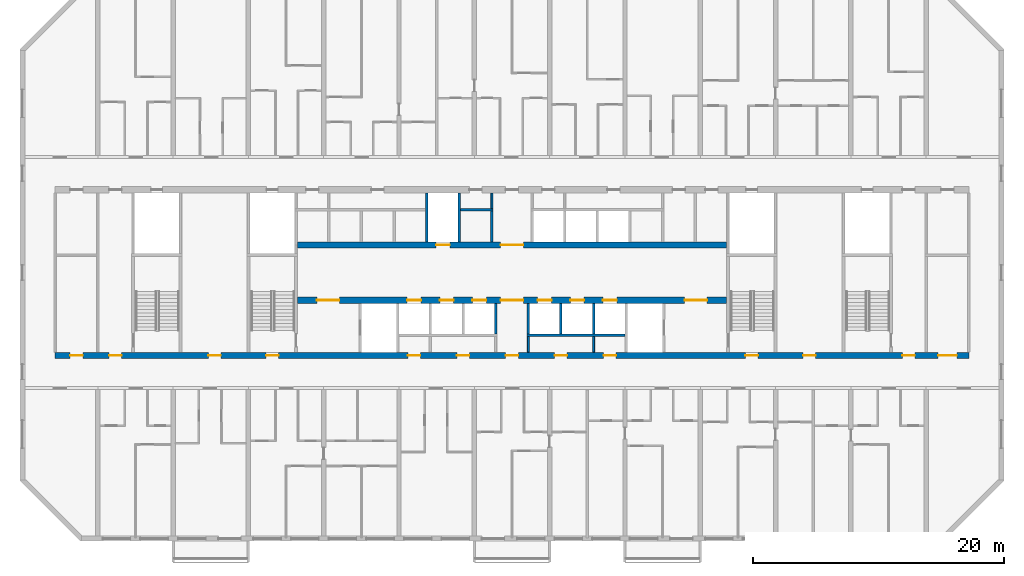
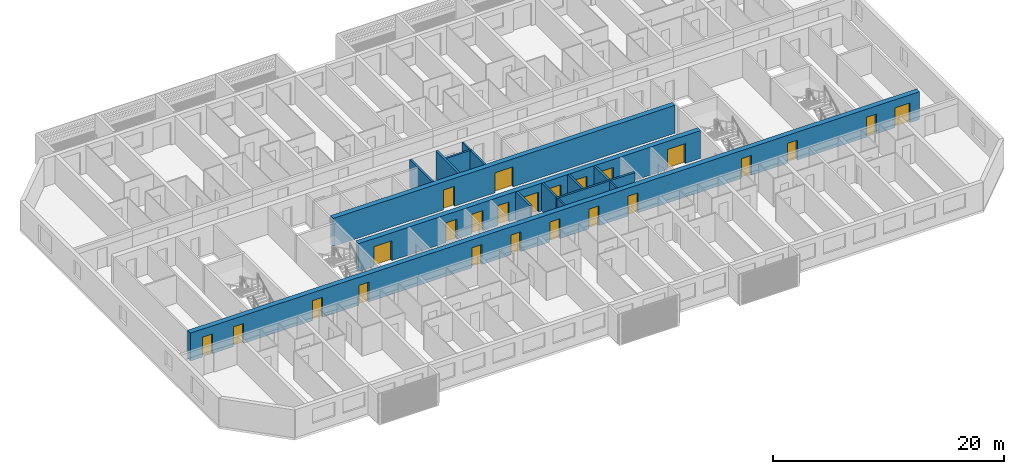
# One storey, part 7 of 24: 24 doors, 15 walls, 24 openings.
"""IFC4 building model written with IfcOpenShell, lengths in metres."""

from ifc_helpers import new_model, si_unit, direction, frame, frame_2d, origin, place, context, subcontext, project, spatial, rectangle, extrude, material, layer, layer_set, type_object, element, fill, save


model = new_model("IFC4")

# Units and contexts
model_context = context("Model", 3, precision=1e-05, world=origin(), true_north=direction((0.0, 1.0)))
body_context = subcontext(model_context, "Body", "Model", "MODEL_VIEW")
ifc_project = project(units=[si_unit("LENGTHUNIT", "METRE"), si_unit("AREAUNIT", "SQUARE_METRE"), si_unit("VOLUMEUNIT", "CUBIC_METRE"), si_unit("PLANEANGLEUNIT", "RADIAN"), si_unit("MASSUNIT", "GRAM", prefix="KILO")], contexts=[model_context])

# Site, building, storey
site_placement = place(None, origin())
site = spatial("IfcSite", under=ifc_project, at=site_placement, CompositionType="ELEMENT")
building_placement = place(site_placement, origin())
building = spatial("IfcBuilding", under=site, at=building_placement, Name="Poui Terraces", CompositionType="ELEMENT")
storey_placement = place(building_placement, frame((0.0, 0.0, 112.5)))
storey = spatial("IfcBuildingStorey", under=building, at=storey_placement, Name="L31", CompositionType="ELEMENT", Elevation=112.5)

# Wall, openings, doors
ifc_material_1 = material(Name="Concrete 65 MPa", Category="concrete")
ifc_layer_1 = layer(ifc_material_1, 0.5)
ifc_layer_set_1 = layer_set([ifc_layer_1], Name="Concrete 65 MPa")
wall_type_1 = type_object("IfcWallType", Name="CORE WALL 500 65 MPA", PredefinedType="SOLIDWALL", material=ifc_layer_set_1)
wall_1_placement = place(storey_placement, frame((33.925048828125, 19.0, 0.0), z_axis=(0.0, 0.0, 1.0), x_axis=(1.0, 0.0, 0.0)))
wall_1 = element("IfcWall", 1, at=wall_1_placement, inside=storey, type_object=wall_type_1, Name="CORE WALL", PredefinedType="SOLIDWALL", context=body_context, shape_type="SweptSolid", body=[
    extrude(rectangle(XDim=34.14990234375, YDim=0.5, at=frame_2d((17.074951171875, 0.0))), origin(), (0.0, 0.0, 1.0), 2.949951171875),
])
opening_1_placement = place(wall_1_placement, frame((16.175048828125, 0.0, 0.0)))
opening_1 = element("IfcOpeningElement", 2, at=opening_1_placement, cuts=wall_1, Name="Opening FDD60", PredefinedType="OPENING", context=body_context, shape_type="SweptSolid", body=[
    extrude(rectangle(XDim=1.800048828125, YDim=2.10009765625, at=frame_2d((0.89990234375, 1.050048828125))), frame((0.0, 0.260009765625, 0.0), z_axis=(0.0, -1.0, 0.0), x_axis=(1.0, 0.0, 0.0)), (0.0, 0.0, 1.0), 0.52001953125),
])
opening_2_placement = place(wall_1_placement, frame((1.52490234375, 0.0, 0.0)))
opening_2 = element("IfcOpeningElement", 3, at=opening_2_placement, cuts=wall_1, Name="Opening FDD60", PredefinedType="OPENING", context=body_context, shape_type="SweptSolid", body=[
    extrude(rectangle(XDim=1.800048828125, YDim=2.10009765625, at=frame_2d((0.89990234375, 1.050048828125))), frame((0.0, 0.260009765625, 0.0), z_axis=(0.0, -1.0, 0.0), x_axis=(1.0, 0.0, 0.0)), (0.0, 0.0, 1.0), 0.52001953125),
])
opening_3_placement = place(wall_1_placement, frame((8.72509765625, 0.0, 0.0)))
opening_3 = element("IfcOpeningElement", 4, at=opening_3_placement, cuts=wall_1, Name="Opening LD", PredefinedType="OPENING", context=body_context, shape_type="SweptSolid", body=[
    extrude(rectangle(XDim=1.10009765625, YDim=2.10009765625, at=frame_2d((0.550048828125, 1.050048828125))), frame((0.0, 0.260009765625, 0.0), z_axis=(0.0, -1.0, 0.0), x_axis=(1.0, 0.0, 0.0)), (0.0, 0.0, 1.0), 0.52001953125),
])
opening_4_placement = place(wall_1_placement, frame((11.324951171875, 0.0, 0.0)))
opening_4 = element("IfcOpeningElement", 5, at=opening_4_placement, cuts=wall_1, Name="Opening LD", PredefinedType="OPENING", context=body_context, shape_type="SweptSolid", body=[
    extrude(rectangle(XDim=1.10009765625, YDim=2.10009765625, at=frame_2d((0.550048828125, 1.050048828125))), frame((0.0, 0.260009765625, 0.0), z_axis=(0.0, -1.0, 0.0), x_axis=(1.0, 0.0, 0.0)), (0.0, 0.0, 1.0), 0.52001953125),
])
opening_5_placement = place(wall_1_placement, frame((13.925048828125, 0.0, 0.0)))
opening_5 = element("IfcOpeningElement", 6, at=opening_5_placement, cuts=wall_1, Name="Opening LD", PredefinedType="OPENING", context=body_context, shape_type="SweptSolid", body=[
    extrude(rectangle(XDim=1.10009765625, YDim=2.10009765625, at=frame_2d((0.550048828125, 1.050048828125))), frame((0.0, 0.260009765625, 0.0), z_axis=(0.0, -1.0, 0.0), x_axis=(1.0, 0.0, 0.0)), (0.0, 0.0, 1.0), 0.52001953125),
])
opening_6_placement = place(wall_1_placement, frame((19.125, 0.0, 0.0)))
opening_6 = element("IfcOpeningElement", 7, at=opening_6_placement, cuts=wall_1, Name="Opening LD", PredefinedType="OPENING", context=body_context, shape_type="SweptSolid", body=[
    extrude(rectangle(XDim=1.10009765625, YDim=2.10009765625, at=frame_2d((0.550048828125, 1.050048828125))), frame((0.0, 0.260009765625, 0.0), z_axis=(0.0, -1.0, 0.0), x_axis=(1.0, 0.0, 0.0)), (0.0, 0.0, 1.0), 0.52001953125),
])
opening_7_placement = place(wall_1_placement, frame((21.72509765625, 0.0, 0.0)))
opening_7 = element("IfcOpeningElement", 8, at=opening_7_placement, cuts=wall_1, Name="Opening LD", PredefinedType="OPENING", context=body_context, shape_type="SweptSolid", body=[
    extrude(rectangle(XDim=1.10009765625, YDim=2.10009765625, at=frame_2d((0.550048828125, 1.050048828125))), frame((0.0, 0.260009765625, 0.0), z_axis=(0.0, -1.0, 0.0), x_axis=(1.0, 0.0, 0.0)), (0.0, 0.0, 1.0), 0.52001953125),
])
opening_8_placement = place(wall_1_placement, frame((24.324951171875, 0.0, 0.0)))
opening_8 = element("IfcOpeningElement", 9, at=opening_8_placement, cuts=wall_1, Name="Opening LD", PredefinedType="OPENING", context=body_context, shape_type="SweptSolid", body=[
    extrude(rectangle(XDim=1.10009765625, YDim=2.10009765625, at=frame_2d((0.550048828125, 1.050048828125))), frame((0.0, 0.260009765625, 0.0), z_axis=(0.0, -1.0, 0.0), x_axis=(1.0, 0.0, 0.0)), (0.0, 0.0, 1.0), 0.52001953125),
])
opening_9_placement = place(wall_1_placement, frame((30.824951171875, 0.0, 0.0)))
opening_9 = element("IfcOpeningElement", 10, at=opening_9_placement, cuts=wall_1, Name="Opening FDD60", PredefinedType="OPENING", context=body_context, shape_type="SweptSolid", body=[
    extrude(rectangle(XDim=1.800048828125, YDim=2.10009765625, at=frame_2d((0.89990234375, 1.050048828125))), frame((0.0, 0.260009765625, 0.0), z_axis=(0.0, -1.0, 0.0), x_axis=(1.0, 0.0, 0.0)), (0.0, 0.0, 1.0), 0.52001953125),
])
ifc_material_2 = material(Name="Steel fire door", Category="steel")
door_type_1 = type_object("IfcDoorType", Name="DOUBLE LOBBY FIRE DOOR 1800 X 2100", OperationType="DOUBLE_DOOR_SINGLE_SWING", PredefinedType="DOOR", material=ifc_material_2)
door_1_placement = place(opening_1_placement, frame((1.800048828125, 0.0, 0.0), z_axis=(0.0, 0.0, 1.0), x_axis=(-1.0, 0.0, 0.0)))
door_1 = element("IfcDoor", 11, at=door_1_placement, inside=storey, type_object=door_type_1, Name="DOUBLE LOBBY FIRE DOOR 125", OperationType="DOUBLE_DOOR_SINGLE_SWING", OverallHeight=2.10009765625, OverallWidth=1.800048828125, PredefinedType="DOOR", context=body_context, shape_type="SweptSolid", body=[
    extrude(rectangle(XDim=1.800048828125, YDim=2.10009765625, at=frame_2d((0.89990234375, 1.050048828125))), frame((0.0, 0.02490234375, 0.0), z_axis=(0.0, -1.0, 0.0), x_axis=(1.0, 0.0, 0.0)), (0.0, 0.0, 1.0), 0.050048828125),
])
fill(opening_1, door_1)
door_2_placement = place(opening_2_placement, origin())
door_2 = element("IfcDoor", 12, at=door_2_placement, inside=storey, type_object=door_type_1, Name="DOUBLE LOBBY FIRE DOOR 126", OperationType="DOUBLE_DOOR_SINGLE_SWING", OverallHeight=2.10009765625, OverallWidth=1.800048828125, PredefinedType="DOOR", context=body_context, shape_type="SweptSolid", body=[
    extrude(rectangle(XDim=1.800048828125, YDim=2.10009765625, at=frame_2d((0.89990234375, 1.050048828125))), frame((0.0, 0.02490234375, 0.0), z_axis=(0.0, -1.0, 0.0), x_axis=(1.0, 0.0, 0.0)), (0.0, 0.0, 1.0), 0.050048828125),
])
fill(opening_2, door_2)
door_3_placement = place(opening_9_placement, origin())
door_3 = element("IfcDoor", 13, at=door_3_placement, inside=storey, type_object=door_type_1, Name="DOUBLE LOBBY FIRE DOOR 134", OperationType="DOUBLE_DOOR_SINGLE_SWING", OverallHeight=2.10009765625, OverallWidth=1.800048828125, PredefinedType="DOOR", context=body_context, shape_type="SweptSolid", body=[
    extrude(rectangle(XDim=1.800048828125, YDim=2.10009765625, at=frame_2d((0.89990234375, 1.050048828125))), frame((0.0, 0.02490234375, 0.0), z_axis=(0.0, -1.0, 0.0), x_axis=(1.0, 0.0, 0.0)), (0.0, 0.0, 1.0), 0.050048828125),
])
fill(opening_9, door_3)
ifc_material_3 = material(Name="Stainless steel sliding door", Category="steel")
door_type_2 = type_object("IfcDoorType", Name="LIFT LANDING DOOR 1100 X 2100", OperationType="DOUBLE_DOOR_SLIDING", PredefinedType="DOOR", material=ifc_material_3)
door_4_placement = place(opening_3_placement, origin())
door_4 = element("IfcDoor", 14, at=door_4_placement, inside=storey, type_object=door_type_2, Name="LANDING DOOR", OperationType="DOUBLE_DOOR_SLIDING", OverallHeight=2.10009765625, OverallWidth=1.10009765625, PredefinedType="DOOR", context=body_context, shape_type="SweptSolid", body=[
    extrude(rectangle(XDim=1.10009765625, YDim=2.10009765625, at=frame_2d((0.550048828125, 1.050048828125))), frame((0.0, 0.02490234375, 0.0), z_axis=(0.0, -1.0, 0.0), x_axis=(1.0, 0.0, 0.0)), (0.0, 0.0, 1.0), 0.050048828125),
])
fill(opening_3, door_4)
door_5_placement = place(opening_4_placement, origin())
door_5 = element("IfcDoor", 15, at=door_5_placement, inside=storey, type_object=door_type_2, Name="LANDING DOOR", OperationType="DOUBLE_DOOR_SLIDING", OverallHeight=2.10009765625, OverallWidth=1.10009765625, PredefinedType="DOOR", context=body_context, shape_type="SweptSolid", body=[
    extrude(rectangle(XDim=1.10009765625, YDim=2.10009765625, at=frame_2d((0.550048828125, 1.050048828125))), frame((0.0, 0.02490234375, 0.0), z_axis=(0.0, -1.0, 0.0), x_axis=(1.0, 0.0, 0.0)), (0.0, 0.0, 1.0), 0.050048828125),
])
fill(opening_4, door_5)
door_6_placement = place(opening_5_placement, origin())
door_6 = element("IfcDoor", 16, at=door_6_placement, inside=storey, type_object=door_type_2, Name="LANDING DOOR", OperationType="DOUBLE_DOOR_SLIDING", OverallHeight=2.10009765625, OverallWidth=1.10009765625, PredefinedType="DOOR", context=body_context, shape_type="SweptSolid", body=[
    extrude(rectangle(XDim=1.10009765625, YDim=2.10009765625, at=frame_2d((0.550048828125, 1.050048828125))), frame((0.0, 0.02490234375, 0.0), z_axis=(0.0, -1.0, 0.0), x_axis=(1.0, 0.0, 0.0)), (0.0, 0.0, 1.0), 0.050048828125),
])
fill(opening_5, door_6)
door_7_placement = place(opening_6_placement, origin())
door_7 = element("IfcDoor", 17, at=door_7_placement, inside=storey, type_object=door_type_2, Name="LANDING DOOR", OperationType="DOUBLE_DOOR_SLIDING", OverallHeight=2.10009765625, OverallWidth=1.10009765625, PredefinedType="DOOR", context=body_context, shape_type="SweptSolid", body=[
    extrude(rectangle(XDim=1.10009765625, YDim=2.10009765625, at=frame_2d((0.550048828125, 1.050048828125))), frame((0.0, 0.02490234375, 0.0), z_axis=(0.0, -1.0, 0.0), x_axis=(1.0, 0.0, 0.0)), (0.0, 0.0, 1.0), 0.050048828125),
])
fill(opening_6, door_7)
door_8_placement = place(opening_7_placement, origin())
door_8 = element("IfcDoor", 18, at=door_8_placement, inside=storey, type_object=door_type_2, Name="LANDING DOOR", OperationType="DOUBLE_DOOR_SLIDING", OverallHeight=2.10009765625, OverallWidth=1.10009765625, PredefinedType="DOOR", context=body_context, shape_type="SweptSolid", body=[
    extrude(rectangle(XDim=1.10009765625, YDim=2.10009765625, at=frame_2d((0.550048828125, 1.050048828125))), frame((0.0, 0.02490234375, 0.0), z_axis=(0.0, -1.0, 0.0), x_axis=(1.0, 0.0, 0.0)), (0.0, 0.0, 1.0), 0.050048828125),
])
fill(opening_7, door_8)
door_9_placement = place(opening_8_placement, origin())
door_9 = element("IfcDoor", 19, at=door_9_placement, inside=storey, type_object=door_type_2, Name="LANDING DOOR", OperationType="DOUBLE_DOOR_SLIDING", OverallHeight=2.10009765625, OverallWidth=1.10009765625, PredefinedType="DOOR", context=body_context, shape_type="SweptSolid", body=[
    extrude(rectangle(XDim=1.10009765625, YDim=2.10009765625, at=frame_2d((0.550048828125, 1.050048828125))), frame((0.0, 0.02490234375, 0.0), z_axis=(0.0, -1.0, 0.0), x_axis=(1.0, 0.0, 0.0)), (0.0, 0.0, 1.0), 0.050048828125),
])
fill(opening_8, door_9)

wall_2_placement = place(storey_placement, frame((33.925048828125, 23.39990234375, 0.0), z_axis=(0.0, 0.0, 1.0), x_axis=(1.0, 0.0, 0.0)))
wall_2 = element("IfcWall", 20, at=wall_2_placement, inside=storey, type_object=wall_type_1, Name="CORE WALL", PredefinedType="SOLIDWALL", context=body_context, shape_type="SweptSolid", body=[
    extrude(rectangle(XDim=34.14990234375, YDim=0.5, at=frame_2d((17.074951171875, 0.0))), origin(), (0.0, 0.0, 1.0), 2.949951171875),
])
opening_10_placement = place(wall_2_placement, frame((16.175048828125, 0.0, 0.0)))
opening_10 = element("IfcOpeningElement", 21, at=opening_10_placement, cuts=wall_2, Name="Opening FDD60", PredefinedType="OPENING", context=body_context, shape_type="SweptSolid", body=[
    extrude(rectangle(XDim=1.800048828125, YDim=2.10009765625, at=frame_2d((0.89990234375, 1.050048828125))), frame((0.0, 0.260009765625, 0.0), z_axis=(0.0, -1.0, 0.0), x_axis=(1.0, 0.0, 0.0)), (0.0, 0.0, 1.0), 0.52001953125),
])
opening_11_placement = place(wall_2_placement, frame((11.02490234375, 0.0, 0.0)))
opening_11 = element("IfcOpeningElement", 22, at=opening_11_placement, cuts=wall_2, Name="Opening LD", PredefinedType="OPENING", context=body_context, shape_type="SweptSolid", body=[
    extrude(rectangle(XDim=1.10009765625, YDim=2.10009765625, at=frame_2d((0.550048828125, 1.050048828125))), frame((0.0, 0.260009765625, 0.0), z_axis=(0.0, -1.0, 0.0), x_axis=(1.0, 0.0, 0.0)), (0.0, 0.0, 1.0), 0.52001953125),
])
door_10_placement = place(opening_10_placement, origin())
door_10 = element("IfcDoor", 23, at=door_10_placement, inside=storey, type_object=door_type_1, Name="DOUBLE LOBBY FIRE DOOR 124", OperationType="DOUBLE_DOOR_SINGLE_SWING", OverallHeight=2.10009765625, OverallWidth=1.800048828125, PredefinedType="DOOR", context=body_context, shape_type="SweptSolid", body=[
    extrude(rectangle(XDim=1.800048828125, YDim=2.10009765625, at=frame_2d((0.89990234375, 1.050048828125))), frame((0.0, 0.02490234375, 0.0), z_axis=(0.0, -1.0, 0.0), x_axis=(1.0, 0.0, 0.0)), (0.0, 0.0, 1.0), 0.050048828125),
])
fill(opening_10, door_10)
door_11_placement = place(opening_11_placement, origin())
door_11 = element("IfcDoor", 24, at=door_11_placement, inside=storey, type_object=door_type_2, Name="LANDING DOOR", OperationType="DOUBLE_DOOR_SLIDING", OverallHeight=2.10009765625, OverallWidth=1.10009765625, PredefinedType="DOOR", context=body_context, shape_type="SweptSolid", body=[
    extrude(rectangle(XDim=1.10009765625, YDim=2.10009765625, at=frame_2d((0.550048828125, 1.050048828125))), frame((0.0, 0.02490234375, 0.0), z_axis=(0.0, -1.0, 0.0), x_axis=(1.0, 0.0, 0.0)), (0.0, 0.0, 1.0), 0.050048828125),
])
fill(opening_11, door_11)

# Walls
ifc_material_4 = material(Name="Fire-rated plasterboard wall")
ifc_layer_2 = layer(ifc_material_4, 0.14990234375)
ifc_layer_set_2 = layer_set([ifc_layer_2], Name="Fire-rated plasterboard wall")
wall_type_2 = type_object("IfcWallType", Name="CORRIDOR WALL 150", PredefinedType="PARTITIONING", material=ifc_layer_set_2)
for number, where, z_axis, x_axis, name in (
    (25, (49.39990234375, 26.300048828125, 0.0), (0.0, 0.0, 1.0), (0.0, 1.0, 0.0), "CORRIDOR WALL 150"),
    (26, (52.300048828125, 14.860107421875, 0.0), (0.0, 0.0, 1.0), (0.0, 1.0, 0.0), "CORRIDOR WALL 150"),
):
    element("IfcWall", number, at=place(storey_placement, frame(where, z_axis=z_axis, x_axis=x_axis)), inside=storey, type_object=wall_type_2, Name=name, PredefinedType="PARTITIONING", context=body_context, shape_type="SweptSolid", body=[
        extrude(rectangle(XDim=1.239990234375, YDim=0.14990234375, at=frame_2d((0.6201171875, 0.0))), origin(), (0.0, 0.0, 1.0), 2.949951171875),
    ])
ifc_material_5 = material(Name="Plasterboard partition")
ifc_layer_3 = layer(ifc_material_5, 0.14990234375)
ifc_layer_set_3 = layer_set([ifc_layer_3], Name="Plasterboard partition")
wall_type_3 = type_object("IfcWallType", Name="PARTITION WALL 150", PredefinedType="PARTITIONING", material=ifc_layer_set_3)
wall_3_placement = place(storey_placement, frame((57.5, 14.860107421875, 0.0), z_axis=(0.0, 0.0, 1.0), x_axis=(0.0, 1.0, 0.0)))
element("IfcWall", 27, at=wall_3_placement, inside=storey, type_object=wall_type_3, Name="PARTITION WALL 150", PredefinedType="PARTITIONING", context=body_context, shape_type="SweptSolid", body=[
    extrude(rectangle(XDim=1.239990234375, YDim=0.14990234375, at=frame_2d((0.6201171875, 0.0))), origin(), (0.0, 0.0, 1.0), 2.949951171875),
])
ifc_material_6 = material(Name="Fire-rated masonry shaft wall", Category="masonry")
ifc_layer_4 = layer(ifc_material_6, 0.199951171875)
ifc_layer_set_4 = layer_set([ifc_layer_4], Name="Fire-rated masonry shaft wall")
wall_type_4 = type_object("IfcWallType", Name="SHAFT WALL 200", PredefinedType="PARTITIONING", material=ifc_layer_set_4)
wall_4_placement = place(storey_placement, frame((52.199951171875, 16.199951171875, 0.0), z_axis=(0.0, 0.0, 1.0), x_axis=(1.0, 0.0, 0.0)))
element("IfcWall", 28, at=wall_4_placement, inside=storey, type_object=wall_type_4, Name="SHAFT WALL 200", PredefinedType="PARTITIONING", context=body_context, shape_type="SweptSolid", body=[
    extrude(rectangle(XDim=7.800048828125, YDim=0.199951171875, at=frame_2d((3.89990234375, 0.0))), origin(), (0.0, 0.0, 1.0), 2.949951171875),
])
wall_5_placement = place(storey_placement, frame((46.89990234375, 26.199951171875, 0.0), z_axis=(0.0, 0.0, 1.0), x_axis=(1.0, 0.0, 0.0)))
element("IfcWall", 29, at=wall_5_placement, inside=storey, type_object=wall_type_4, Name="SHAFT WALL 200", PredefinedType="PARTITIONING", context=body_context, shape_type="SweptSolid", body=[
    extrude(rectangle(XDim=2.60009765625, YDim=0.199951171875, at=frame_2d((1.300048828125, 0.0))), origin(), (0.0, 0.0, 1.0), 2.949951171875),
])
for number, where, z_axis, x_axis, name in (
    (30, (44.199951171875, 23.659912109375, 0.0), (0.0, 0.0, 1.0), (0.0, 1.0, 0.0), "SHAFT WALL 200"),
    (31, (46.800048828125, 23.659912109375, 0.0), (0.0, 0.0, 1.0), (0.0, 1.0, 0.0), "SHAFT WALL 200"),
):
    element("IfcWall", number, at=place(storey_placement, frame(where, z_axis=z_axis, x_axis=x_axis)), inside=storey, type_object=wall_type_4, Name=name, PredefinedType="PARTITIONING", context=body_context, shape_type="SweptSolid", body=[
        extrude(rectangle(XDim=3.880126953125, YDim=0.199951171875, at=frame_2d((1.93994140625, 0.0))), origin(), (0.0, 0.0, 1.0), 2.949951171875),
    ])
wall_6_placement = place(storey_placement, frame((49.39990234375, 23.659912109375, 0.0), z_axis=(0.0, 0.0, 1.0), x_axis=(0.0, 1.0, 0.0)))
element("IfcWall", 32, at=wall_6_placement, inside=storey, type_object=wall_type_4, Name="SHAFT WALL 200", PredefinedType="PARTITIONING", context=body_context, shape_type="SweptSolid", body=[
    extrude(rectangle(XDim=2.440185546875, YDim=0.199951171875, at=frame_2d((1.22021484375, 0.0))), origin(), (0.0, 0.0, 1.0), 2.949951171875),
])
for number, where, z_axis, x_axis, name in (
    (33, (49.699951171875, 16.300048828125, 0.0), (0.0, 0.0, 1.0), (0.0, 1.0, 0.0), "SHAFT WALL 200"),
    (34, (52.300048828125, 16.300048828125, 0.0), (0.0, 0.0, 1.0), (0.0, 1.0, 0.0), "SHAFT WALL 200"),
    (35, (54.89990234375, 16.300048828125, 0.0), (0.0, 0.0, 1.0), (0.0, 1.0, 0.0), "SHAFT WALL 200"),
    (36, (57.5, 16.300048828125, 0.0), (0.0, 0.0, 1.0), (0.0, 1.0, 0.0), "SHAFT WALL 200"),
):
    element("IfcWall", number, at=place(storey_placement, frame(where, z_axis=z_axis, x_axis=x_axis)), inside=storey, type_object=wall_type_4, Name=name, PredefinedType="PARTITIONING", context=body_context, shape_type="SweptSolid", body=[
        extrude(rectangle(XDim=2.43994140625, YDim=0.199951171875, at=frame_2d((1.219970703125, 0.0))), origin(), (0.0, 0.0, 1.0), 2.949951171875),
    ])

# Wall, openings, doors
ifc_layer_5 = layer(ifc_material_1, 0.5)
ifc_layer_set_5 = layer_set([ifc_layer_5], Name="Concrete 65 MPa")
wall_type_5 = type_object("IfcWallType", Name="SPINE WALL 500 65 MPA", PredefinedType="SOLIDWALL", material=ifc_layer_set_5)
wall_7_placement = place(storey_placement, frame((14.60009765625, 14.60009765625, 0.0), z_axis=(0.0, 0.0, 1.0), x_axis=(1.0, 0.0, 0.0)))
wall_7 = element("IfcWall", 37, at=wall_7_placement, inside=storey, type_object=wall_type_5, Name="SPINE WALL", PredefinedType="SOLIDWALL", context=body_context, shape_type="SweptSolid", body=[
    extrude(rectangle(XDim=72.7998046875, YDim=0.5, at=frame_2d((36.39990234375, 0.0))), origin(), (0.0, 0.0, 1.0), 2.949951171875),
])
opening_12_placement = place(wall_7_placement, frame((1.199951171875, 0.0, 0.0)))
opening_12 = element("IfcOpeningElement", 38, at=opening_12_placement, cuts=wall_7, Name="Opening D100", PredefinedType="OPENING", context=body_context, shape_type="SweptSolid", body=[
    extrude(rectangle(XDim=1.0, YDim=2.10009765625, at=frame_2d((0.5, 1.050048828125))), frame((0.0, 0.260009765625, 0.0), z_axis=(0.0, -1.0, 0.0), x_axis=(1.0, 0.0, 0.0)), (0.0, 0.0, 1.0), 0.52001953125),
])
opening_13_placement = place(wall_7_placement, frame((4.300048828125, 0.0, 0.0)))
opening_13 = element("IfcOpeningElement", 39, at=opening_13_placement, cuts=wall_7, Name="Opening FDL", PredefinedType="OPENING", context=body_context, shape_type="SweptSolid", body=[
    extrude(rectangle(XDim=1.0, YDim=2.10009765625, at=frame_2d((0.5, 1.050048828125))), frame((0.0, 0.260009765625, 0.0), z_axis=(0.0, -1.0, 0.0), x_axis=(1.0, 0.0, 0.0)), (0.0, 0.0, 1.0), 0.52001953125),
])
opening_14_placement = place(wall_7_placement, frame((12.199951171875, 0.0, 0.0)))
opening_14 = element("IfcOpeningElement", 40, at=opening_14_placement, cuts=wall_7, Name="Opening D100", PredefinedType="OPENING", context=body_context, shape_type="SweptSolid", body=[
    extrude(rectangle(XDim=1.0, YDim=2.10009765625, at=frame_2d((0.5, 1.050048828125))), frame((0.0, 0.260009765625, 0.0), z_axis=(0.0, -1.0, 0.0), x_axis=(1.0, 0.0, 0.0)), (0.0, 0.0, 1.0), 0.52001953125),
])
opening_15_placement = place(wall_7_placement, frame((16.800048828125, 0.0, 0.0)))
opening_15 = element("IfcOpeningElement", 41, at=opening_15_placement, cuts=wall_7, Name="Opening FD60S", PredefinedType="OPENING", context=body_context, shape_type="SweptSolid", body=[
    extrude(rectangle(XDim=1.0, YDim=2.10009765625, at=frame_2d((0.5, 1.050048828125))), frame((0.0, 0.260009765625, 0.0), z_axis=(0.0, -1.0, 0.0), x_axis=(1.0, 0.0, 0.0)), (0.0, 0.0, 1.0), 0.52001953125),
])
opening_16_placement = place(wall_7_placement, frame((28.10009765625, 0.0, 0.0)))
opening_16 = element("IfcOpeningElement", 42, at=opening_16_placement, cuts=wall_7, Name="Opening FD60", PredefinedType="OPENING", context=body_context, shape_type="SweptSolid", body=[
    extrude(rectangle(XDim=1.0, YDim=2.10009765625, at=frame_2d((0.5, 1.050048828125))), frame((0.0, 0.260009765625, 0.0), z_axis=(0.0, -1.0, 0.0), x_axis=(1.0, 0.0, 0.0)), (0.0, 0.0, 1.0), 0.52001953125),
])
opening_17_placement = place(wall_7_placement, frame((32.0, 0.0, 0.0)))
opening_17 = element("IfcOpeningElement", 43, at=opening_17_placement, cuts=wall_7, Name="Opening FD60", PredefinedType="OPENING", context=body_context, shape_type="SweptSolid", body=[
    extrude(rectangle(XDim=1.0, YDim=2.10009765625, at=frame_2d((0.5, 1.050048828125))), frame((0.0, 0.260009765625, 0.0), z_axis=(0.0, -1.0, 0.0), x_axis=(1.0, 0.0, 0.0)), (0.0, 0.0, 1.0), 0.52001953125),
])
opening_18_placement = place(wall_7_placement, frame((35.89990234375, 0.0, 0.0)))
opening_18 = element("IfcOpeningElement", 44, at=opening_18_placement, cuts=wall_7, Name="Opening FDL", PredefinedType="OPENING", context=body_context, shape_type="SweptSolid", body=[
    extrude(rectangle(XDim=1.0, YDim=2.10009765625, at=frame_2d((0.5, 1.050048828125))), frame((0.0, 0.260009765625, 0.0), z_axis=(0.0, -1.0, 0.0), x_axis=(1.0, 0.0, 0.0)), (0.0, 0.0, 1.0), 0.52001953125),
])
opening_19_placement = place(wall_7_placement, frame((39.800048828125, 0.0, 0.0)))
opening_19 = element("IfcOpeningElement", 45, at=opening_19_placement, cuts=wall_7, Name="Opening FD60", PredefinedType="OPENING", context=body_context, shape_type="SweptSolid", body=[
    extrude(rectangle(XDim=1.0, YDim=2.10009765625, at=frame_2d((0.5, 1.050048828125))), frame((0.0, 0.260009765625, 0.0), z_axis=(0.0, -1.0, 0.0), x_axis=(1.0, 0.0, 0.0)), (0.0, 0.0, 1.0), 0.52001953125),
])
opening_20_placement = place(wall_7_placement, frame((43.699951171875, 0.0, 0.0)))
opening_20 = element("IfcOpeningElement", 46, at=opening_20_placement, cuts=wall_7, Name="Opening FD60", PredefinedType="OPENING", context=body_context, shape_type="SweptSolid", body=[
    extrude(rectangle(XDim=1.0, YDim=2.10009765625, at=frame_2d((0.5, 1.050048828125))), frame((0.0, 0.260009765625, 0.0), z_axis=(0.0, -1.0, 0.0), x_axis=(1.0, 0.0, 0.0)), (0.0, 0.0, 1.0), 0.52001953125),
])
opening_21_placement = place(wall_7_placement, frame((55.0, 0.0, 0.0)))
opening_21 = element("IfcOpeningElement", 47, at=opening_21_placement, cuts=wall_7, Name="Opening FD60S", PredefinedType="OPENING", context=body_context, shape_type="SweptSolid", body=[
    extrude(rectangle(XDim=1.0, YDim=2.10009765625, at=frame_2d((0.5, 1.050048828125))), frame((0.0, 0.260009765625, 0.0), z_axis=(0.0, -1.0, 0.0), x_axis=(1.0, 0.0, 0.0)), (0.0, 0.0, 1.0), 0.52001953125),
])
opening_22_placement = place(wall_7_placement, frame((59.60009765625, 0.0, 0.0)))
opening_22 = element("IfcOpeningElement", 48, at=opening_22_placement, cuts=wall_7, Name="Opening D100", PredefinedType="OPENING", context=body_context, shape_type="SweptSolid", body=[
    extrude(rectangle(XDim=1.0, YDim=2.10009765625, at=frame_2d((0.5, 1.050048828125))), frame((0.0, 0.260009765625, 0.0), z_axis=(0.0, -1.0, 0.0), x_axis=(1.0, 0.0, 0.0)), (0.0, 0.0, 1.0), 0.52001953125),
])
opening_23_placement = place(wall_7_placement, frame((67.5, 0.0, 0.0)))
opening_23 = element("IfcOpeningElement", 49, at=opening_23_placement, cuts=wall_7, Name="Opening FDL", PredefinedType="OPENING", context=body_context, shape_type="SweptSolid", body=[
    extrude(rectangle(XDim=1.0, YDim=2.10009765625, at=frame_2d((0.5, 1.050048828125))), frame((0.0, 0.260009765625, 0.0), z_axis=(0.0, -1.0, 0.0), x_axis=(1.0, 0.0, 0.0)), (0.0, 0.0, 1.0), 0.52001953125),
])
opening_24_placement = place(wall_7_placement, frame((70.35009765625, 0.0, 0.0)))
opening_24 = element("IfcOpeningElement", 50, at=opening_24_placement, cuts=wall_7, Name="Opening FDP", PredefinedType="OPENING", context=body_context, shape_type="SweptSolid", body=[
    extrude(rectangle(XDim=1.5, YDim=2.10009765625, at=frame_2d((0.75, 1.050048828125))), frame((0.0, 0.260009765625, 0.0), z_axis=(0.0, -1.0, 0.0), x_axis=(1.0, 0.0, 0.0)), (0.0, 0.0, 1.0), 0.52001953125),
])
ifc_material_7 = material(Name="Solid core timber door", Category="wood")
door_type_3 = type_object("IfcDoorType", Name="ACCESSIBLE INTERNAL DOOR 1000 X 2100", OperationType="NOTDEFINED", PredefinedType="DOOR", material=ifc_material_7)
door_12_placement = place(opening_12_placement, frame((1.0, 0.0, 0.0), z_axis=(0.0, 0.0, 1.0), x_axis=(-1.0, 0.0, 0.0)))
door_12 = element("IfcDoor", 51, at=door_12_placement, inside=storey, type_object=door_type_3, Name="ACCESSIBLE INTERNAL DOOR 017", OperationType="SINGLE_SWING_RIGHT", OverallHeight=2.10009765625, OverallWidth=1.0, PredefinedType="DOOR", context=body_context, shape_type="SweptSolid", body=[
    extrude(rectangle(XDim=1.0, YDim=2.10009765625, at=frame_2d((0.5, 1.050048828125))), frame((0.0, 0.02490234375, 0.0), z_axis=(0.0, -1.0, 0.0), x_axis=(1.0, 0.0, 0.0)), (0.0, 0.0, 1.0), 0.050048828125),
])
fill(opening_12, door_12)
door_13_placement = place(opening_14_placement, frame((1.0, 0.0, 0.0), z_axis=(0.0, 0.0, 1.0), x_axis=(-1.0, 0.0, 0.0)))
door_13 = element("IfcDoor", 52, at=door_13_placement, inside=storey, type_object=door_type_3, Name="ACCESSIBLE INTERNAL DOOR 019", OperationType="SINGLE_SWING_RIGHT", OverallHeight=2.10009765625, OverallWidth=1.0, PredefinedType="DOOR", context=body_context, shape_type="SweptSolid", body=[
    extrude(rectangle(XDim=1.0, YDim=2.10009765625, at=frame_2d((0.5, 1.050048828125))), frame((0.0, 0.02490234375, 0.0), z_axis=(0.0, -1.0, 0.0), x_axis=(1.0, 0.0, 0.0)), (0.0, 0.0, 1.0), 0.050048828125),
])
fill(opening_14, door_13)
door_14_placement = place(opening_22_placement, frame((1.0, 0.0, 0.0), z_axis=(0.0, 0.0, 1.0), x_axis=(-1.0, 0.0, 0.0)))
door_14 = element("IfcDoor", 53, at=door_14_placement, inside=storey, type_object=door_type_3, Name="ACCESSIBLE INTERNAL DOOR 027", OperationType="SINGLE_SWING_LEFT", OverallHeight=2.10009765625, OverallWidth=1.0, PredefinedType="DOOR", context=body_context, shape_type="SweptSolid", body=[
    extrude(rectangle(XDim=1.0, YDim=2.10009765625, at=frame_2d((0.5, 1.050048828125))), frame((0.0, 0.02490234375, 0.0), z_axis=(0.0, -1.0, 0.0), x_axis=(1.0, 0.0, 0.0)), (0.0, 0.0, 1.0), 0.050048828125),
])
fill(opening_22, door_14)
door_type_4 = type_object("IfcDoorType", Name="LOBBY FIRE DOOR 1000 X 2100", OperationType="NOTDEFINED", PredefinedType="DOOR", material=ifc_material_2)
door_15_placement = place(opening_13_placement, frame((1.0, 0.0, 0.0), z_axis=(0.0, 0.0, 1.0), x_axis=(-1.0, 0.0, 0.0)))
door_15 = element("IfcDoor", 54, at=door_15_placement, inside=storey, type_object=door_type_4, Name="LOBBY FIRE DOOR 018", OperationType="SINGLE_SWING_RIGHT", OverallHeight=2.10009765625, OverallWidth=1.0, PredefinedType="DOOR", context=body_context, shape_type="SweptSolid", body=[
    extrude(rectangle(XDim=1.0, YDim=2.10009765625, at=frame_2d((0.5, 1.050048828125))), frame((0.0, 0.02490234375, 0.0), z_axis=(0.0, -1.0, 0.0), x_axis=(1.0, 0.0, 0.0)), (0.0, 0.0, 1.0), 0.050048828125),
])
fill(opening_13, door_15)
door_16_placement = place(opening_18_placement, frame((1.0, 0.0, 0.0), z_axis=(0.0, 0.0, 1.0), x_axis=(-1.0, 0.0, 0.0)))
door_16 = element("IfcDoor", 55, at=door_16_placement, inside=storey, type_object=door_type_4, Name="LOBBY FIRE DOOR 023", OperationType="SINGLE_SWING_LEFT", OverallHeight=2.10009765625, OverallWidth=1.0, PredefinedType="DOOR", context=body_context, shape_type="SweptSolid", body=[
    extrude(rectangle(XDim=1.0, YDim=2.10009765625, at=frame_2d((0.5, 1.050048828125))), frame((0.0, 0.02490234375, 0.0), z_axis=(0.0, -1.0, 0.0), x_axis=(1.0, 0.0, 0.0)), (0.0, 0.0, 1.0), 0.050048828125),
])
fill(opening_18, door_16)
door_17_placement = place(opening_23_placement, frame((1.0, 0.0, 0.0), z_axis=(0.0, 0.0, 1.0), x_axis=(-1.0, 0.0, 0.0)))
door_17 = element("IfcDoor", 56, at=door_17_placement, inside=storey, type_object=door_type_4, Name="LOBBY FIRE DOOR 028", OperationType="SINGLE_SWING_LEFT", OverallHeight=2.10009765625, OverallWidth=1.0, PredefinedType="DOOR", context=body_context, shape_type="SweptSolid", body=[
    extrude(rectangle(XDim=1.0, YDim=2.10009765625, at=frame_2d((0.5, 1.050048828125))), frame((0.0, 0.02490234375, 0.0), z_axis=(0.0, -1.0, 0.0), x_axis=(1.0, 0.0, 0.0)), (0.0, 0.0, 1.0), 0.050048828125),
])
fill(opening_23, door_17)
door_type_5 = type_object("IfcDoorType", Name="PLANT ROOM DOOR PAIR 1500 X 2100", OperationType="DOUBLE_DOOR_SINGLE_SWING", PredefinedType="DOOR", material=ifc_material_2)
door_18_placement = place(opening_24_placement, frame((1.5, 0.0, 0.0), z_axis=(0.0, 0.0, 1.0), x_axis=(-1.0, 0.0, 0.0)))
door_18 = element("IfcDoor", 57, at=door_18_placement, inside=storey, type_object=door_type_5, Name="PLANT ROOM DOOR PAIR 029", OperationType="DOUBLE_DOOR_SINGLE_SWING", OverallHeight=2.10009765625, OverallWidth=1.5, PredefinedType="DOOR", context=body_context, shape_type="SweptSolid", body=[
    extrude(rectangle(XDim=1.5, YDim=2.10009765625, at=frame_2d((0.75, 1.050048828125))), frame((0.0, 0.02490234375, 0.0), z_axis=(0.0, -1.0, 0.0), x_axis=(1.0, 0.0, 0.0)), (0.0, 0.0, 1.0), 0.050048828125),
])
fill(opening_24, door_18)
door_type_6 = type_object("IfcDoorType", Name="SERVICE ROOM FIRE DOOR 1000 X 2100", OperationType="NOTDEFINED", PredefinedType="DOOR", material=ifc_material_2)
door_19_placement = place(opening_16_placement, frame((1.0, 0.0, 0.0), z_axis=(0.0, 0.0, 1.0), x_axis=(-1.0, 0.0, 0.0)))
door_19 = element("IfcDoor", 58, at=door_19_placement, inside=storey, type_object=door_type_6, Name="SERVICE ROOM FIRE DOOR 021", OperationType="SINGLE_SWING_LEFT", OverallHeight=2.10009765625, OverallWidth=1.0, PredefinedType="DOOR", context=body_context, shape_type="SweptSolid", body=[
    extrude(rectangle(XDim=1.0, YDim=2.10009765625, at=frame_2d((0.5, 1.050048828125))), frame((0.0, 0.02490234375, 0.0), z_axis=(0.0, -1.0, 0.0), x_axis=(1.0, 0.0, 0.0)), (0.0, 0.0, 1.0), 0.050048828125),
])
fill(opening_16, door_19)
door_20_placement = place(opening_17_placement, frame((1.0, 0.0, 0.0), z_axis=(0.0, 0.0, 1.0), x_axis=(-1.0, 0.0, 0.0)))
door_20 = element("IfcDoor", 59, at=door_20_placement, inside=storey, type_object=door_type_6, Name="SERVICE ROOM FIRE DOOR 022", OperationType="SINGLE_SWING_RIGHT", OverallHeight=2.10009765625, OverallWidth=1.0, PredefinedType="DOOR", context=body_context, shape_type="SweptSolid", body=[
    extrude(rectangle(XDim=1.0, YDim=2.10009765625, at=frame_2d((0.5, 1.050048828125))), frame((0.0, 0.02490234375, 0.0), z_axis=(0.0, -1.0, 0.0), x_axis=(1.0, 0.0, 0.0)), (0.0, 0.0, 1.0), 0.050048828125),
])
fill(opening_17, door_20)
door_21_placement = place(opening_19_placement, frame((1.0, 0.0, 0.0), z_axis=(0.0, 0.0, 1.0), x_axis=(-1.0, 0.0, 0.0)))
door_21 = element("IfcDoor", 60, at=door_21_placement, inside=storey, type_object=door_type_6, Name="SERVICE ROOM FIRE DOOR 024", OperationType="SINGLE_SWING_LEFT", OverallHeight=2.10009765625, OverallWidth=1.0, PredefinedType="DOOR", context=body_context, shape_type="SweptSolid", body=[
    extrude(rectangle(XDim=1.0, YDim=2.10009765625, at=frame_2d((0.5, 1.050048828125))), frame((0.0, 0.02490234375, 0.0), z_axis=(0.0, -1.0, 0.0), x_axis=(1.0, 0.0, 0.0)), (0.0, 0.0, 1.0), 0.050048828125),
])
fill(opening_19, door_21)
door_22_placement = place(opening_20_placement, frame((1.0, 0.0, 0.0), z_axis=(0.0, 0.0, 1.0), x_axis=(-1.0, 0.0, 0.0)))
door_22 = element("IfcDoor", 61, at=door_22_placement, inside=storey, type_object=door_type_6, Name="SERVICE ROOM FIRE DOOR 025", OperationType="SINGLE_SWING_RIGHT", OverallHeight=2.10009765625, OverallWidth=1.0, PredefinedType="DOOR", context=body_context, shape_type="SweptSolid", body=[
    extrude(rectangle(XDim=1.0, YDim=2.10009765625, at=frame_2d((0.5, 1.050048828125))), frame((0.0, 0.02490234375, 0.0), z_axis=(0.0, -1.0, 0.0), x_axis=(1.0, 0.0, 0.0)), (0.0, 0.0, 1.0), 0.050048828125),
])
fill(opening_20, door_22)
door_type_7 = type_object("IfcDoorType", Name="STAIR DOOR 1000 X 2100", OperationType="NOTDEFINED", PredefinedType="DOOR", material=ifc_material_2)
door_23_placement = place(opening_15_placement, origin())
door_23 = element("IfcDoor", 62, at=door_23_placement, inside=storey, type_object=door_type_7, Name="STAIR DOOR 020", OperationType="SINGLE_SWING_RIGHT", OverallHeight=2.10009765625, OverallWidth=1.0, PredefinedType="DOOR", context=body_context, shape_type="SweptSolid", body=[
    extrude(rectangle(XDim=1.0, YDim=2.10009765625, at=frame_2d((0.5, 1.050048828125))), frame((0.0, 0.02490234375, 0.0), z_axis=(0.0, -1.0, 0.0), x_axis=(1.0, 0.0, 0.0)), (0.0, 0.0, 1.0), 0.050048828125),
])
fill(opening_15, door_23)
door_24_placement = place(opening_21_placement, origin())
door_24 = element("IfcDoor", 63, at=door_24_placement, inside=storey, type_object=door_type_7, Name="STAIR DOOR 026", OperationType="SINGLE_SWING_RIGHT", OverallHeight=2.10009765625, OverallWidth=1.0, PredefinedType="DOOR", context=body_context, shape_type="SweptSolid", body=[
    extrude(rectangle(XDim=1.0, YDim=2.10009765625, at=frame_2d((0.5, 1.050048828125))), frame((0.0, 0.02490234375, 0.0), z_axis=(0.0, -1.0, 0.0), x_axis=(1.0, 0.0, 0.0)), (0.0, 0.0, 1.0), 0.050048828125),
])
fill(opening_21, door_24)

save(model, "model.ifc")
